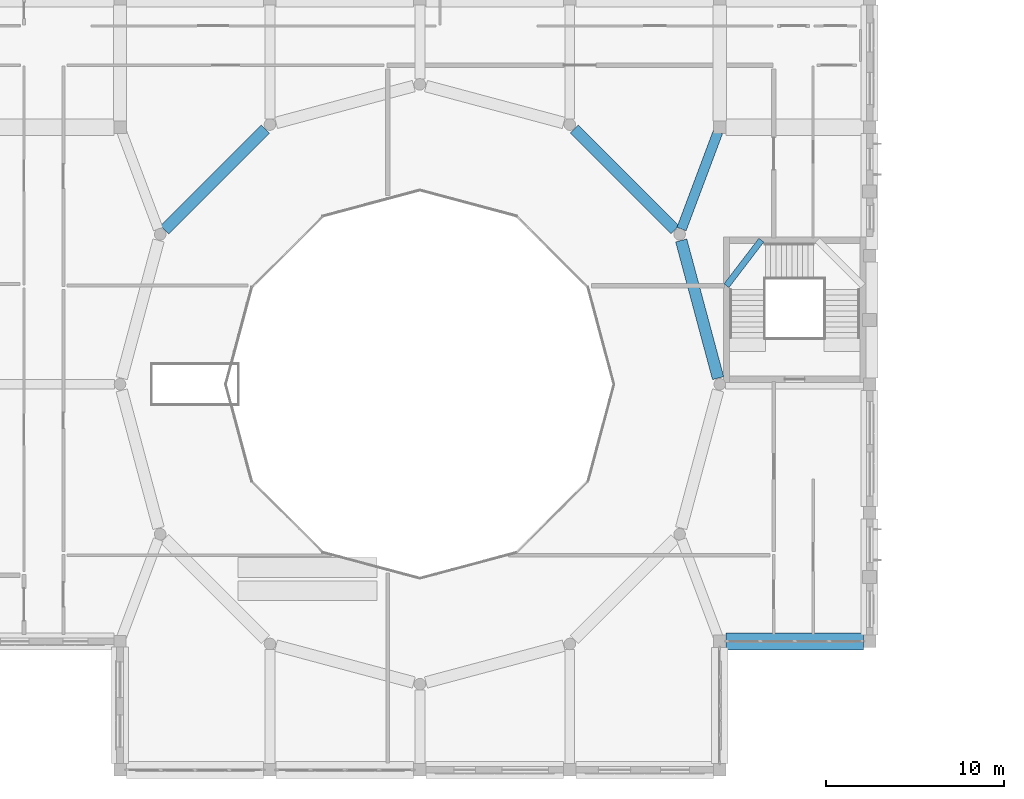
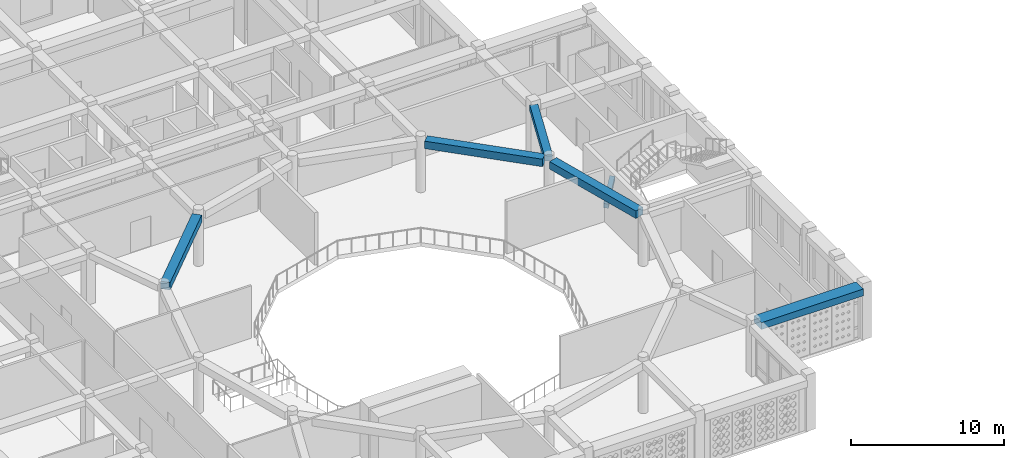
# One storey, part 19 of 79: 6 beams.
"""IFC4 building model written with IfcOpenShell, lengths in metres."""

from ifc_helpers import new_model, si_unit, derived_unit, direction, frame, origin, origin_2d, place, context, subcontext, project, spatial, rectangle, extrude, material, material_profile, profile_set, type_object, element, save


model = new_model("IFC4")

# Units and contexts
model_context = context("Model", 3, precision=1e-05, world=origin(), true_north=direction((0.0, 1.0)))
body_context = subcontext(model_context, "Body", "Model", "MODEL_VIEW")
ifc_project = project(units=[si_unit("LENGTHUNIT", "METRE"), si_unit("AREAUNIT", "SQUARE_METRE"), si_unit("VOLUMEUNIT", "CUBIC_METRE"), si_unit("PLANEANGLEUNIT", "RADIAN"), si_unit("MASSUNIT", "GRAM", prefix="KILO"), derived_unit("THERMALTRANSMITTANCEUNIT", [(si_unit("POWERUNIT", "WATT"), 1), (si_unit("LENGTHUNIT", "METRE"), -2), (si_unit("THERMODYNAMICTEMPERATUREUNIT", "KELVIN"), -1)])], contexts=[model_context])

# Site, building, storey
site_placement = place(None, origin())
site = spatial("IfcSite", under=ifc_project, at=site_placement, CompositionType="ELEMENT")
building_placement = place(site_placement, origin())
building = spatial("IfcBuilding", under=site, at=building_placement, Name="Veybourne Emporium", CompositionType="ELEMENT")
storey_placement = place(building_placement, frame((0.0, 0.0, 18.89990234375)))
storey = spatial("IfcBuildingStorey", under=building, at=storey_placement, Name="L04", CompositionType="ELEMENT", Elevation=18.89990234375)

# Beams
ifc_material = material(Name="Concrete C32/40", Category="concrete")
ifc_material_profile_1 = material_profile(ifc_material, rectangle(XDim=0.35009765625, YDim=0.35009765625, at=origin_2d()), Name="RC 350x350")
ifc_profile_set_1 = profile_set([ifc_material_profile_1], Name="Concrete C32/40")
beam_type_1 = type_object("IfcBeamType", Name="LandingBeam_LB-01", PredefinedType="BEAM", material=ifc_profile_set_1)
beam_1_placement = place(storey_placement, frame((92.77490234375, 55.919921875, 1.125), z_axis=(0.607669780071, 0.794189799978, 0.0), x_axis=(-0.794189799978, 0.607669780071, 0.0)))
element("IfcBeam", 1, at=beam_1_placement, inside=storey, type_object=beam_type_1, Name="L04 ST-07 landing 1 support beam", PredefinedType="BEAM", context=body_context, shape_type="SweptSolid", body=[
    extrude(rectangle(XDim=0.35009765625, YDim=0.35009765625, at=origin_2d()), origin(), (0.0, 0.0, 1.0), 3.21728515625),
])
ifc_material_profile_2 = material_profile(ifc_material, rectangle(XDim=0.949951171875, YDim=0.550048828125, at=origin_2d()), Name="RC 950x550")
ifc_profile_set_2 = profile_set([ifc_material_profile_2], Name="Concrete C32/40")
beam_type_2 = type_object("IfcBeamType", Name="RCBeam_EB-01", PredefinedType="SPANDREL", material=ifc_profile_set_2)
beam_2_placement = place(storey_placement, frame((92.75, 36.0, 3.905029296875), z_axis=(1.0, 0.0, 0.0), x_axis=(0.0, 1.0, 0.0)))
element("IfcBeam", 2, at=beam_2_placement, inside=storey, type_object=beam_type_2, Name="L04 X-grid beam EB-01 (11,5)", PredefinedType="SPANDREL", context=body_context, shape_type="SweptSolid", body=[
    extrude(rectangle(XDim=0.949951171875, YDim=0.550048828125, at=origin_2d()), origin(), (0.0, 0.0, 1.0), 7.699951171875),
])
ifc_material_profile_3 = material_profile(ifc_material, rectangle(XDim=0.64990234375, YDim=0.60009765625, at=origin_2d()), Name="RC 650x600")
ifc_profile_set_3 = profile_set([ifc_material_profile_3], Name="Concrete C32/40")
beam_type_3 = type_object("IfcBeamType", Name="RCBeam_EB-02", PredefinedType="BEAM", material=ifc_profile_set_3)
for number, where, z_axis, x_axis, name in (
    (3, (92.30810546875, 50.742919921875, 3.880126953125), (-0.258807903268, 0.965928811666, 0.0), (-0.965928811666, -0.258807903268, 0.0), "Atrium ring beam EB-02 L04-01"),
    (4, (89.898193359375, 59.051025390625, 3.880126953125), (-0.707106781187, 0.707106781187, 0.0), (-0.707106781187, -0.707106781187, 0.0), "Atrium ring beam EB-02 L04-02"),
    (5, (66.948974609375, 64.6982421875, 3.880126953125), (-0.707106781187, -0.707106781187, 0.0), (0.707106781187, -0.707106781187, 0.0), "Atrium ring beam EB-02 L04-05"),
):
    element("IfcBeam", number, at=place(storey_placement, frame(where, z_axis=z_axis, x_axis=x_axis)), inside=storey, type_object=beam_type_3, Name=name, PredefinedType="BEAM", context=body_context, shape_type="SweptSolid", body=[
        extrude(rectangle(XDim=0.64990234375, YDim=0.60009765625, at=origin_2d()), origin(), (0.0, 0.0, 1.0), 7.986328125),
    ])
ifc_material_profile_4 = material_profile(ifc_material, rectangle(XDim=0.550048828125, YDim=0.5, at=origin_2d()), Name="RC 550x500")
ifc_profile_set_4 = profile_set([ifc_material_profile_4], Name="Concrete C32/40")
beam_type_4 = type_object("IfcBeamType", Name="RCBeam_TB-01", PredefinedType="BEAM", material=ifc_profile_set_4)
beam_3_placement = place(storey_placement, frame((90.259765625, 59.094970703125, 3.93017578125), z_axis=(0.351234086371, 0.936287678318, 0.0), x_axis=(-0.936287678318, 0.351234086371, 0.0)))
element("IfcBeam", 6, at=beam_3_placement, inside=storey, type_object=beam_type_4, Name="Atrium radial tie beam L04-02", PredefinedType="BEAM", context=body_context, shape_type="SweptSolid", body=[
    extrude(rectangle(XDim=0.550048828125, YDim=0.5, at=origin_2d()), origin(), (0.0, 0.0, 1.0), 5.80322265625),
])

save(model, "model.ifc")
